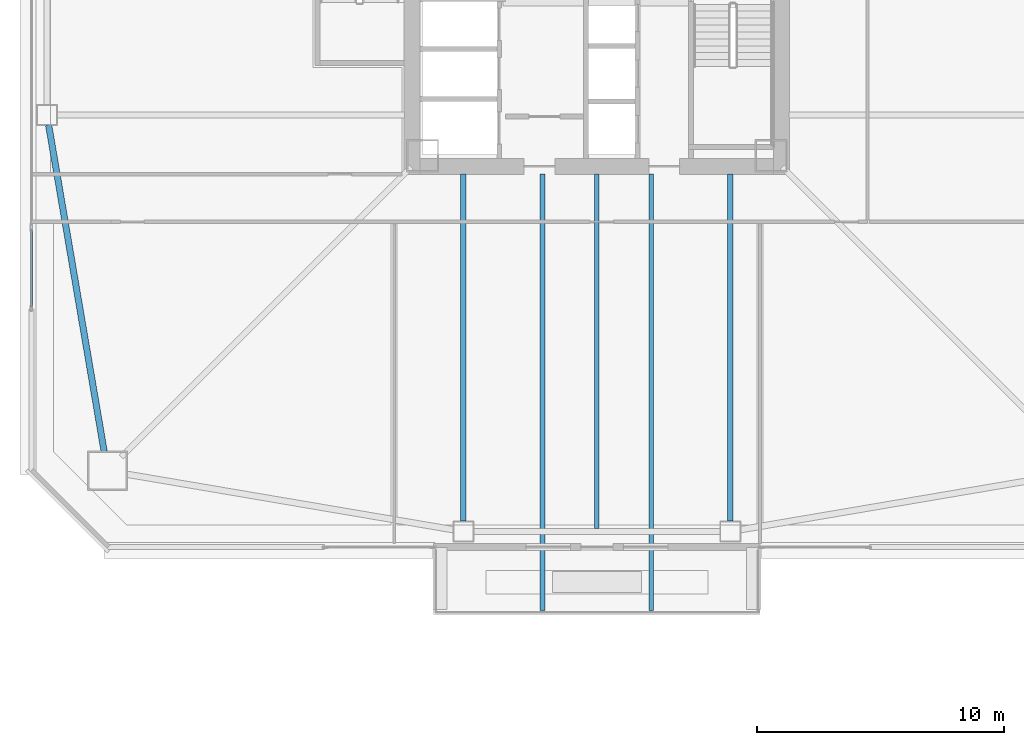
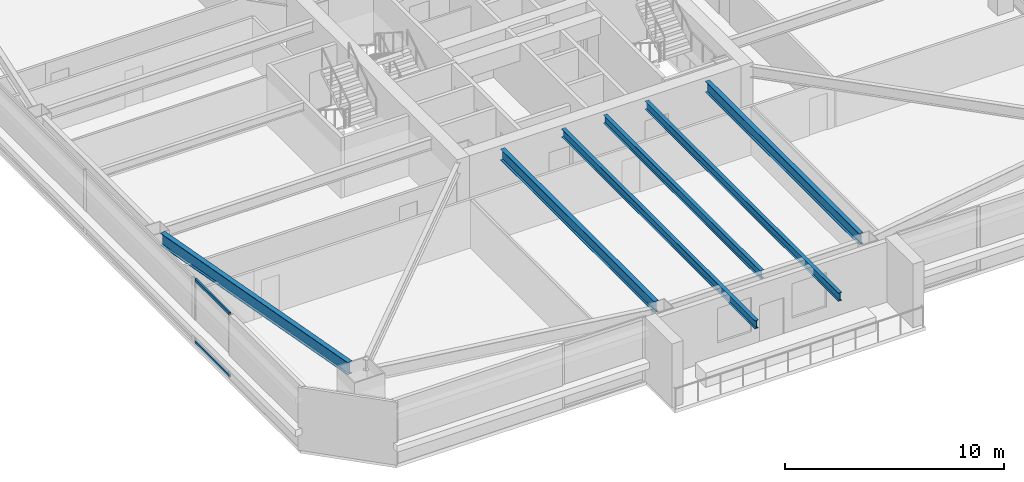
# One storey, part 6 of 48: 6 beams, 2 members, 1 element without a shape of its own.
"""IFC4 building model written with IfcOpenShell, lengths in metres."""

import ifcopenshell
import ifcopenshell.guid

model = None  # the IFC model being written
_history = None  # IfcOwnerHistory: only IFC2X3 demands one
_inside = {}  # id of a spatial element -> (the spatial element, [elements in it])
_under = {}  # id of a project, library or spatial element -> (it, [spatial elements below it])
_declared = {}  # id of a project -> (the project, [libraries it declares])
_typed = {}  # id of a type object -> (the type object, [elements of that type])
_made_of = {}  # id of a material, layer set ... -> (it, [elements and type objects made of it])


def new_model(schema):
    """Start an empty IFC model of exactly this schema.

    Asked for "IFC4X3", IfcOpenShell would pick the latest addendum, in which some entities
    have other attributes; the version numbers below select the first issue.
    IFC2X3 requires an IfcOwnerHistory on every rooted entity: one is made here for all.
    """
    global model, _history
    if schema == "IFC4X3":
        model = ifcopenshell.file(schema_version=(4, 3, 0, 0))
    else:
        model = ifcopenshell.file(schema=schema)
    _inside.clear()
    _under.clear()
    _declared.clear()
    _typed.clear()
    _made_of.clear()
    _history = None
    if model.schema == "IFC2X3":
        org = make("IfcOrganization", Name="unknown")
        user = make(
            "IfcPersonAndOrganization",
            ThePerson=make("IfcPerson", FamilyName="unknown"),
            TheOrganization=org,
        )
        app = make(
            "IfcApplication",
            ApplicationDeveloper=org,
            Version="unknown",
            ApplicationFullName="unknown",
            ApplicationIdentifier="unknown",
        )
        _history = make(
            "IfcOwnerHistory",
            OwningUser=user,
            OwningApplication=app,
            ChangeAction="ADDED",
            CreationDate=0,
        )
    return model


def make(cls, **values):
    """One entity of the class cls with the attributes given. An attribute that is None is left unset."""
    return model.create_entity(
        cls, **{name: value for name, value in values.items() if value is not None}
    )


def rooted(cls, **values):
    """An entity with a GlobalId (a new one), such as an element, a storey or a relation."""
    return make(cls, GlobalId=ifcopenshell.guid.new(), OwnerHistory=_history, **values)


def si_unit(unit_type, name, prefix=None):
    """IfcSIUnit, for example si_unit("LENGTHUNIT", "METRE", prefix="MILLI")."""
    return make("IfcSIUnit", UnitType=unit_type, Prefix=prefix, Name=name)


def assignment(units):
    """IfcUnitAssignment: the units of a project."""
    return None if units is None else make("IfcUnitAssignment", Units=units)


def point(xyz):
    """IfcCartesianPoint."""
    return None if xyz is None else make("IfcCartesianPoint", Coordinates=xyz)


def direction(xyz):
    """IfcDirection."""
    return None if xyz is None else make("IfcDirection", DirectionRatios=xyz)


def frame(location, z_axis=None, x_axis=None):
    """IfcAxis2Placement3D, a coordinate frame: its origin and axes. An axis left out is left unset."""
    return make(
        "IfcAxis2Placement3D",
        Location=point(location),
        Axis=direction(z_axis),
        RefDirection=direction(x_axis),
    )


def frame_2d(location, x_axis=None):
    """IfcAxis2Placement2D, a coordinate frame in the plane: its origin and x axis."""
    return make(
        "IfcAxis2Placement2D", Location=point(location), RefDirection=direction(x_axis)
    )


def origin():
    """The frame at (0, 0, 0) with its axes left unset."""
    return frame((0.0, 0.0, 0.0))


def origin_2d():
    """The frame at (0, 0) in the plane with its x axis left unset."""
    return frame_2d((0.0, 0.0))


def place(relative_to, where):
    """IfcLocalPlacement: puts the frame where relative to a parent placement (None: the world)."""
    return make(
        "IfcLocalPlacement", PlacementRelTo=relative_to, RelativePlacement=where
    )


def context(
    kind, dimensions, precision=None, world=None, true_north=None, identifier=None
):
    """IfcGeometricRepresentationContext, for example the 3D "Model" context."""
    return make(
        "IfcGeometricRepresentationContext",
        ContextIdentifier=identifier,
        ContextType=kind,
        CoordinateSpaceDimension=dimensions,
        Precision=precision,
        WorldCoordinateSystem=world,
        TrueNorth=true_north,
    )


def subcontext(parent, identifier, kind, view, scale=None):
    """IfcGeometricRepresentationSubContext, for example "Body" below "Model"."""
    return make(
        "IfcGeometricRepresentationSubContext",
        ContextIdentifier=identifier,
        ContextType=kind,
        ParentContext=parent,
        TargetScale=scale,
        TargetView=view,
    )


def project(units=None, contexts=None):
    """IfcProject with its units and contexts."""
    return rooted(
        "IfcProject",
        Name="project",
        RepresentationContexts=contexts,
        UnitsInContext=assignment(units),
    )


def spatial(cls, under=None, at=None, **own):
    """A site, building, storey or space (cls), placed at a placement, below another one or the project."""
    s = rooted(cls, ObjectPlacement=at, **own)
    if under is not None:
        _under.setdefault(under.id(), (under, []))[1].append(s)
    return s


def profile(cls, at=None, kind="AREA", **sizes):
    """A parametric profile (cls). Its sizes go by their IFC names, for example OverallWidth=200.0."""
    return make(cls, ProfileType=kind, Position=at, **sizes)


def hollow_rectangle(**sizes):
    """IfcRectangleHollowProfileDef."""
    return profile("IfcRectangleHollowProfileDef", **sizes)


def i_section(**sizes):
    """IfcIShapeProfileDef."""
    return profile("IfcIShapeProfileDef", **sizes)


def extrude(swept, where, along, depth):
    """IfcExtrudedAreaSolid: the profile swept, set in the frame where, extruded along a direction by depth."""
    return make(
        "IfcExtrudedAreaSolid",
        SweptArea=swept,
        Position=where,
        ExtrudedDirection=direction(along),
        Depth=depth,
    )


def shape(context_of_items, identifier, shape_type, items):
    """IfcShapeRepresentation: the items that make up one representation, for example the "Body"."""
    return make(
        "IfcShapeRepresentation",
        ContextOfItems=context_of_items,
        RepresentationIdentifier=identifier,
        RepresentationType=shape_type,
        Items=items,
    )


def material(Name=None, Category=None):
    """IfcMaterial."""
    return make("IfcMaterial", Name=Name, Category=Category)


def material_profile(
    of_material, cross_section, Name=None, Category=None, Priority=None
):
    """IfcMaterialProfile: a cross section and its material."""
    return make(
        "IfcMaterialProfile",
        Name=Name,
        Material=of_material,
        Profile=cross_section,
        Priority=Priority,
        Category=Category,
    )


def profile_set(profiles, Name=None, composite=None):
    """IfcMaterialProfileSet."""
    return make(
        "IfcMaterialProfileSet",
        Name=Name,
        MaterialProfiles=profiles,
        CompositeProfile=composite,
    )


def made_of(thing, what):
    """Note that an element or type object is made of a material, layer set ...; save() writes the relation."""
    if what is not None:
        _made_of.setdefault(what.id(), (what, []))[1].append(thing)
    return thing


def type_object(cls, material=None, **own):
    """A type object (cls), such as IfcWallType, which elements share."""
    return made_of(rooted(cls, **own), material)


def element(
    cls,
    number,
    at=None,
    inside=None,
    cuts=None,
    type_object=None,
    material=None,
    context=None,
    identifier="Body",
    shape_type=None,
    held_by="IfcProductDefinitionShape",
    body=None,
    shapes=None,
    **own,
):
    """One element of the class cls, such as IfcWall. Its Tag is "e" and its number.

    at: its placement. inside: the storey or other place that contains it. cuts: it is an
    opening in that element (IfcRelVoidsElement). A single representation is given by context,
    identifier, shape_type and body (its items); several are given by shapes. held_by: the class
    of the entity that holds the representations. save() writes the other relations.
    """
    e = rooted(cls, Tag="e%d" % number, ObjectPlacement=at, **own)
    if body is not None:
        shapes = [shape(context, identifier, shape_type, body)]
    if shapes is not None:
        e.Representation = make(held_by, Representations=shapes)
    if inside is not None:
        _inside.setdefault(inside.id(), (inside, []))[1].append(e)
    if cuts is not None:
        rooted(
            "IfcRelVoidsElement", RelatingBuildingElement=cuts, RelatedOpeningElement=e
        )
    if type_object is not None:
        _typed.setdefault(type_object.id(), (type_object, []))[1].append(e)
    return made_of(e, material)


def aggregate(whole, parts):
    """IfcRelAggregates: a whole, such as a stair, and the parts it consists of."""
    return rooted("IfcRelAggregates", RelatingObject=whole, RelatedObjects=parts)


def save(model, path):
    """Write the relations noted so far, then the file.

    IfcRelAggregates (storeys below a building ...), IfcRelContainedInSpatialStructure (elements
    in a storey), IfcRelDefinesByType, IfcRelAssociatesMaterial and IfcRelDeclares: one each for
    every whole, place, type object, material and project.
    """
    for whole, parts in _under.values():
        aggregate(whole, parts)
    for where, things in _inside.values():
        rooted(
            "IfcRelContainedInSpatialStructure",
            RelatedElements=things,
            RelatingStructure=where,
        )
    for kind, things in _typed.values():
        rooted("IfcRelDefinesByType", RelatedObjects=things, RelatingType=kind)
    for what, things in _made_of.values():
        rooted("IfcRelAssociatesMaterial", RelatedObjects=things, RelatingMaterial=what)
    for by, libraries in _declared.values():
        rooted("IfcRelDeclares", RelatingContext=by, RelatedDefinitions=libraries)
    model.write(path)


model = new_model("IFC4")

# Units and contexts
model_context = context("Model", 3, precision=1e-05, world=origin(), true_north=direction((0.0, 1.0)))
body_context = subcontext(model_context, "Body", "Model", "MODEL_VIEW")
ifc_project = project(units=[si_unit("LENGTHUNIT", "METRE"), si_unit("AREAUNIT", "SQUARE_METRE"), si_unit("VOLUMEUNIT", "CUBIC_METRE"), si_unit("PLANEANGLEUNIT", "RADIAN"), si_unit("MASSUNIT", "GRAM", prefix="KILO")], contexts=[model_context])

# Site, building, storey
site_placement = place(None, origin())
site = spatial("IfcSite", under=ifc_project, at=site_placement, CompositionType="ELEMENT")
building_placement = place(site_placement, origin())
building = spatial("IfcBuilding", under=site, at=building_placement, Name="Tashvorn Skyway Center", CompositionType="ELEMENT")
storey_placement = place(building_placement, frame((0.0, 0.0, 56.550048828125)))
storey = spatial("IfcBuildingStorey", under=building, at=storey_placement, Name="L14", CompositionType="ELEMENT", Elevation=56.550048828125)

# Beams
ifc_material_1 = material(Name="Steel ASTM A992 Grade 50", Category="steel")
ifc_material_profile_1 = material_profile(ifc_material_1, i_section(OverallWidth=0.22998046875, OverallDepth=0.616943359375, WebThickness=0.01318359375, FlangeThickness=0.022216796875, at=origin_2d()), Name="W24X94")
ifc_profile_set_1 = profile_set([ifc_material_profile_1], Name="Steel ASTM A992 Grade 50")
beam_type_1 = type_object("IfcBeamType", Name="BM-BEAM-W24X94", PredefinedType="BEAM", material=ifc_profile_set_1)
for number, where, z_axis, x_axis, name in (
    (1, (36.60009765625, 10.169921875, 3.04150390625), (0.0, 1.0, 0.0), (-1.0, 0.0, 0.0), "Tower 1 L14 Primary Floor Girder FC-S1"),
    (2, (47.39990234375, 10.169921875, 3.04150390625), (0.0, 1.0, 0.0), (-1.0, 0.0, 0.0), "Tower 1 L14 Primary Floor Girder FC-S2"),
):
    element("IfcBeam", number, at=place(storey_placement, frame(where, z_axis=z_axis, x_axis=x_axis)), inside=storey, type_object=beam_type_1, Name=name, PredefinedType="BEAM", context=body_context, shape_type="SweptSolid", body=[
        extrude(i_section(OverallWidth=0.22998046875, OverallDepth=0.616943359375, WebThickness=0.01318359375, FlangeThickness=0.022216796875, at=origin_2d()), origin(), (0.0, 0.0, 1.0), 14.050048828125),
    ])
ifc_material_profile_2 = material_profile(ifc_material_1, i_section(OverallWidth=0.19091796875, OverallDepth=0.4599609375, WebThickness=0.010009765625, FlangeThickness=0.01611328125, at=origin_2d()), Name="W18X55")
ifc_profile_set_2 = profile_set([ifc_material_profile_2], Name="Steel ASTM A992 Grade 50")
beam_type_2 = type_object("IfcBeamType", Name="BM-JOIST-W18X55", PredefinedType="JOIST", material=ifc_profile_set_2)
beam_1_placement = place(storey_placement, frame((42.0, 24.2099609375, 3.119873046875), z_axis=(0.0, -1.0, 0.0), x_axis=(1.0, 0.0, 0.0)))
element("IfcBeam", 3, at=beam_1_placement, inside=storey, type_object=beam_type_2, Name="Tower 1 L14 Secondary Composite Joist JS", PredefinedType="JOIST", context=body_context, shape_type="SweptSolid", body=[
    extrude(i_section(OverallWidth=0.19091796875, OverallDepth=0.4599609375, WebThickness=0.010009765625, FlangeThickness=0.01611328125, at=origin_2d()), origin(), (0.0, 0.0, 1.0), 14.33984375),
])
for number, where, z_axis, x_axis, name in (
    (4, (39.800048828125, 24.219970703125, 3.119873046875), (0.0, -1.0, 0.0), (1.0, 0.0, 0.0), "Tower 1 L15 Terrace Cantilever Outlooker 1"),
    (5, (44.199951171875, 24.219970703125, 3.119873046875), (0.0, -1.0, 0.0), (1.0, 0.0, 0.0), "Tower 1 L15 Terrace Cantilever Outlooker 2"),
):
    element("IfcBeam", number, at=place(storey_placement, frame(where, z_axis=z_axis, x_axis=x_axis)), inside=storey, type_object=beam_type_2, Name=name, PredefinedType="JOIST", context=body_context, shape_type="SweptSolid", body=[
        extrude(i_section(OverallWidth=0.19091796875, OverallDepth=0.4599609375, WebThickness=0.010009765625, FlangeThickness=0.01611328125, at=origin_2d()), origin(), (0.0, 0.0, 1.0), 17.669921875),
    ])
ifc_material_profile_3 = material_profile(ifc_material_1, i_section(OverallWidth=0.256103515625, OverallDepth=0.693115234375, WebThickness=0.014404296875, FlangeThickness=0.023681640625, at=origin_2d()), Name="W27X114")
ifc_profile_set_3 = profile_set([ifc_material_profile_3], Name="Steel ASTM A992 Grade 50")
beam_type_3 = type_object("IfcBeamType", Name="BM-SPANDREL-W27X114", PredefinedType="SPANDREL", material=ifc_profile_set_3)
beam_2_placement = place(storey_placement, frame((19.820556640625, 26.18603515625, 3.00341796875), z_axis=(0.16771792509, -0.985835025551, 0.0), x_axis=(0.985835025551, 0.16771792509, 0.0)))
element("IfcBeam", 6, at=beam_2_placement, inside=storey, type_object=beam_type_3, Name="Tower 1 L14 Spandrel Beam 12", PredefinedType="SPANDREL", context=body_context, shape_type="SweptSolid", body=[
    extrude(i_section(OverallWidth=0.256103515625, OverallDepth=0.693115234375, WebThickness=0.014404296875, FlangeThickness=0.023681640625, at=origin_2d()), origin(), (0.0, 0.0, 1.0), 13.39208984375),
])

# Curtain wall, members
ifc_material_2 = material(Name="Thermally broken bronze-anodized aluminium 6063-T6", Category="aluminium")
curtain_wall_type = type_object("IfcCurtainWallType", Name="CW-CW-Z1", PredefinedType="NOTDEFINED", material=ifc_material_2)
curtain_wall_placement = place(storey_placement, origin())
curtain_wall = element("IfcCurtainWall", 7, at=curtain_wall_placement, inside=storey, type_object=curtain_wall_type, Name="Tower 1 L14 West Unitised Curtain Wall Glazing Group 1", PredefinedType="NOTDEFINED")
ifc_material_profile_4 = material_profile(ifc_material_2, hollow_rectangle(XDim=0.0849609375, YDim=0.1650390625, WallThickness=0.0048828125, at=origin_2d()), Name="ALU-TRAN-85x165")
ifc_profile_set_4 = profile_set([ifc_material_profile_4], Name="Thermally broken bronze-anodized aluminium 6063-T6")
member_type = type_object("IfcMemberType", Name="CWT-CW-Z1", PredefinedType="USERDEFINED", material=ifc_profile_set_4)
member_1_placement = place(storey_placement, frame((19.1201171875, 18.831787109375, 0.04248046875), z_axis=(0.0, 1.0, 0.0), x_axis=(-1.0, 0.0, 0.0)))
member_1 = element("IfcMember", 8, at=member_1_placement, type_object=member_type, Name="CW-Z1 transom 1.1", ObjectType="TRANSOM", PredefinedType="USERDEFINED", context=body_context, shape_type="SweptSolid", body=[
    extrude(hollow_rectangle(XDim=0.0849609375, YDim=0.1650390625, WallThickness=0.0048828125, at=origin_2d()), origin(), (0.0, 0.0, 1.0), 3.143310546875),
])
member_2_placement = place(storey_placement, frame((19.1201171875, 18.831787109375, 3.507568359375), z_axis=(0.0, 1.0, 0.0), x_axis=(-1.0, 0.0, 0.0)))
member_2 = element("IfcMember", 9, at=member_2_placement, type_object=member_type, Name="CW-Z1 transom 1.2", ObjectType="TRANSOM", PredefinedType="USERDEFINED", context=body_context, shape_type="SweptSolid", body=[
    extrude(hollow_rectangle(XDim=0.0849609375, YDim=0.1650390625, WallThickness=0.0048828125, at=origin_2d()), origin(), (0.0, 0.0, 1.0), 3.143310546875),
])
aggregate(curtain_wall, [member_1, member_2])

save(model, "model.ifc")
